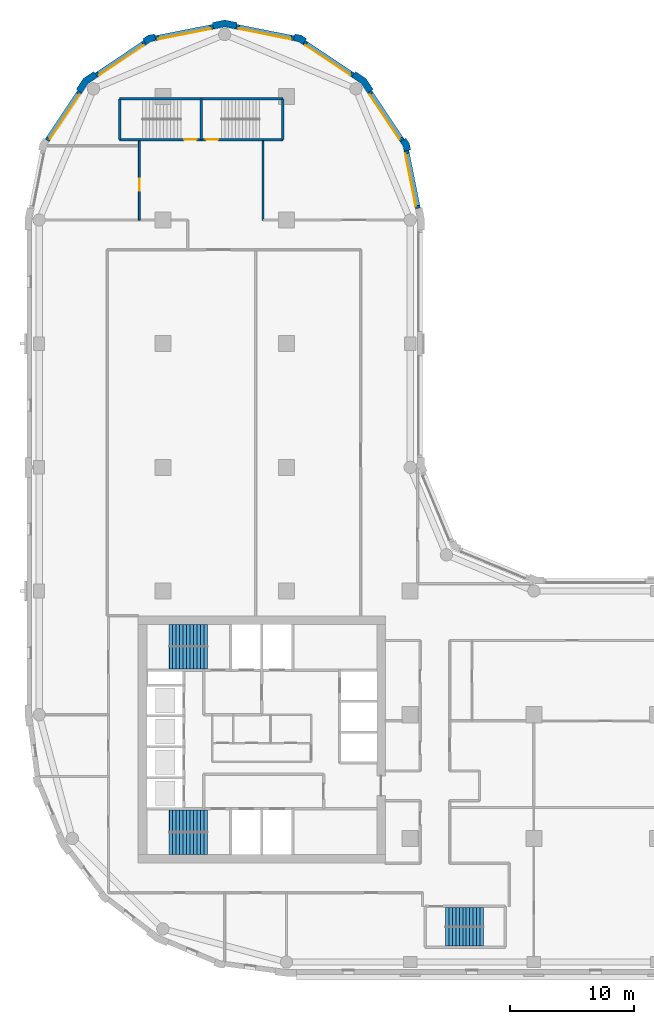
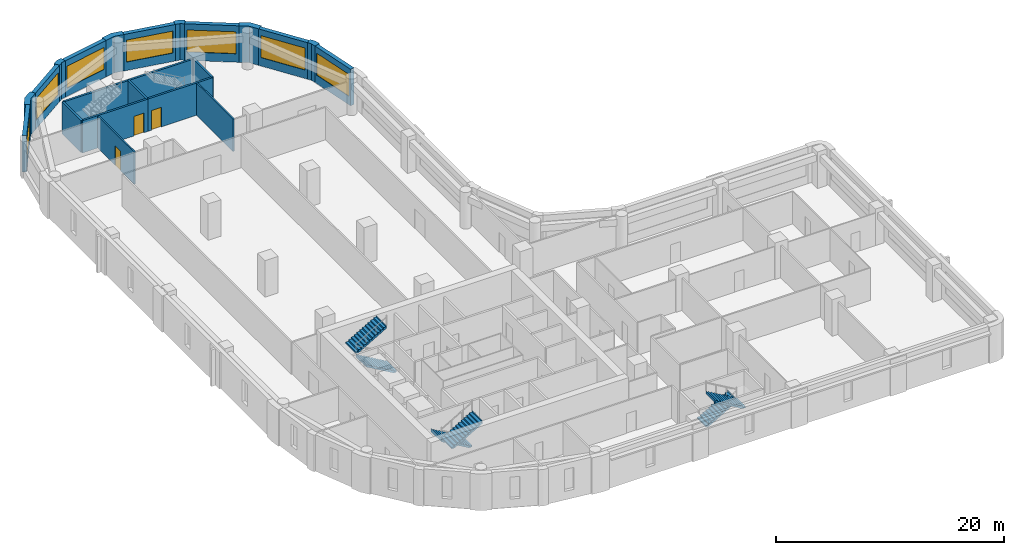
# One storey, part 6 of 9: 22 walls, 7 windows, 6 stair flights, 3 doors, 10 openings, 3 elements without a shape of their own.
"""IFC4 building model written with IfcOpenShell, lengths in metres."""

from ifc_helpers import new_model, si_unit, direction, frame, frame_2d, origin, place, context, subcontext, project, spatial, polyline, rectangle, outline, extrude, material, layer, layer_set, type_object, element, fill, aggregate, save


model = new_model("IFC4")

# Units and contexts
model_context = context("Model", 3, precision=1e-05, world=origin(), true_north=direction((0.0, 1.0)))
body_context = subcontext(model_context, "Body", "Model", "MODEL_VIEW")
ifc_project = project(units=[si_unit("LENGTHUNIT", "METRE"), si_unit("AREAUNIT", "SQUARE_METRE"), si_unit("VOLUMEUNIT", "CUBIC_METRE"), si_unit("PLANEANGLEUNIT", "RADIAN"), si_unit("MASSUNIT", "GRAM", prefix="KILO")], contexts=[model_context])

# Site, building, storey
site_placement = place(None, origin())
site = spatial("IfcSite", under=ifc_project, at=site_placement, CompositionType="ELEMENT")
building_placement = place(site_placement, origin())
building = spatial("IfcBuilding", under=site, at=building_placement, Name="Qaws Garden Tower", CompositionType="ELEMENT")
storey_placement = place(building_placement, frame((0.0, 0.0, 233.10009765625)))
storey = spatial("IfcBuildingStorey", under=building, at=storey_placement, Name="L57", CompositionType="ELEMENT", Elevation=233.10009765625)

# Wall, opening, window
ifc_material_1 = material(Name="Buff clay facing brick masonry", Category="masonry")
ifc_layer_1 = layer(ifc_material_1, 0.39990234375)
ifc_layer_set_1 = layer_set([ifc_layer_1], Name="Buff clay facing brick masonry")
wall_type_1 = type_object("IfcWallType", Name="Buff brick infill wall 400", PredefinedType="SOLIDWALL", material=ifc_layer_set_1)
wall_1_placement = place(storey_placement, frame((30.628662109375, 60.940673828125, 0.0), z_axis=(0.0, 0.0, 1.0), x_axis=(-0.195098533057, 0.98078364709, 0.0)))
wall_1 = element("IfcWall", 1, at=wall_1_placement, inside=storey, type_object=wall_type_1, Name="E-L57-infill-13", PredefinedType="SOLIDWALL", context=body_context, shape_type="SweptSolid", body=[
    extrude(rectangle(XDim=4.752685546875, YDim=0.39990234375, at=frame_2d((2.37646484375, 0.0))), origin(), (0.0, 0.0, 1.0), 3.89990234375),
])
opening_1_placement = place(wall_1_placement, frame((0.226318359375, 0.0, 0.89990234375)))
opening_1 = element("IfcOpeningElement", 2, at=opening_1_placement, cuts=wall_1, Name="Opening W06", PredefinedType="OPENING", context=body_context, shape_type="SweptSolid", body=[
    extrude(rectangle(XDim=4.300048828125, YDim=2.35009765625, at=frame_2d((2.14990234375, 1.175048828125))), frame((0.0, 0.2099609375, 0.0), z_axis=(0.0, -1.0, 0.0), x_axis=(1.0, 0.0, 0.0)), (0.0, 0.0, 1.0), 0.419921875),
])
ifc_material_2 = material(Name="Aluminium framed window, clear glazing", Category="aluminium")
window_type = type_object("IfcWindowType", Name="Ribbon window 4300 x 2350", PartitioningType="DOUBLE_PANEL_VERTICAL", PredefinedType="WINDOW", material=ifc_material_2)
window_1_placement = place(opening_1_placement, origin())
window_1 = element("IfcWindow", 3, at=window_1_placement, inside=storey, type_object=window_type, Name="E-L57-window-13-0", OverallHeight=2.35009765625, OverallWidth=4.300048828125, PartitioningType="SINGLE_PANEL", PredefinedType="WINDOW", context=body_context, shape_type="SweptSolid", body=[
    extrude(rectangle(XDim=4.300048828125, YDim=2.35009765625, at=frame_2d((2.14990234375, 1.175048828125))), frame((0.0, 0.159912109375, 0.0), z_axis=(0.0, -1.0, 0.0), x_axis=(1.0, 0.0, 0.0)), (0.0, 0.0, 1.0), 0.06005859375),
])
fill(opening_1, window_1)

wall_2_placement = place(storey_placement, frame((29.356689453125, 66.43408203125, 0.0), z_axis=(0.0, 0.0, 1.0), x_axis=(-0.555541552266, 0.831488775454, 0.0)))
wall_2 = element("IfcWall", 4, at=wall_2_placement, inside=storey, type_object=wall_type_1, Name="E-L57-infill-14", PredefinedType="SOLIDWALL", context=body_context, shape_type="SweptSolid", body=[
    extrude(rectangle(XDim=4.752685546875, YDim=0.39990234375, at=frame_2d((2.37646484375, 0.0))), origin(), (0.0, 0.0, 1.0), 3.89990234375),
])
opening_2_placement = place(wall_2_placement, frame((0.226318359375, 0.0, 0.89990234375)))
opening_2 = element("IfcOpeningElement", 5, at=opening_2_placement, cuts=wall_2, Name="Opening W06", PredefinedType="OPENING", context=body_context, shape_type="SweptSolid", body=[
    extrude(rectangle(XDim=4.300048828125, YDim=2.35009765625, at=frame_2d((2.14990234375, 1.175048828125))), frame((0.0, 0.2099609375, 0.0), z_axis=(0.0, -1.0, 0.0), x_axis=(1.0, 0.0, 0.0)), (0.0, 0.0, 1.0), 0.419921875),
])
window_2_placement = place(opening_2_placement, origin())
window_2 = element("IfcWindow", 6, at=window_2_placement, inside=storey, type_object=window_type, Name="E-L57-window-14-0", OverallHeight=2.35009765625, OverallWidth=4.300048828125, PartitioningType="SINGLE_PANEL", PredefinedType="WINDOW", context=body_context, shape_type="SweptSolid", body=[
    extrude(rectangle(XDim=4.300048828125, YDim=2.35009765625, at=frame_2d((2.14990234375, 1.175048828125))), frame((0.0, 0.159912109375, 0.0), z_axis=(0.0, -1.0, 0.0), x_axis=(1.0, 0.0, 0.0)), (0.0, 0.0, 1.0), 0.06005859375),
])
fill(opening_2, window_2)

wall_3_placement = place(storey_placement, frame((25.385986328125, 71.71630859375, 0.0), z_axis=(0.0, 0.0, 1.0), x_axis=(-0.831488775454, 0.555541552266, 0.0)))
wall_3 = element("IfcWall", 7, at=wall_3_placement, inside=storey, type_object=wall_type_1, Name="E-L57-infill-15", PredefinedType="SOLIDWALL", context=body_context, shape_type="SweptSolid", body=[
    extrude(rectangle(XDim=4.752685546875, YDim=0.39990234375, at=frame_2d((2.37646484375, 0.0))), origin(), (0.0, 0.0, 1.0), 3.89990234375),
])
opening_3_placement = place(wall_3_placement, frame((0.226318359375, 0.0, 0.89990234375)))
opening_3 = element("IfcOpeningElement", 8, at=opening_3_placement, cuts=wall_3, Name="Opening W06", PredefinedType="OPENING", context=body_context, shape_type="SweptSolid", body=[
    extrude(rectangle(XDim=4.300048828125, YDim=2.35009765625, at=frame_2d((2.14990234375, 1.175048828125))), frame((0.0, 0.2099609375, 0.0), z_axis=(0.0, -1.0, 0.0), x_axis=(1.0, 0.0, 0.0)), (0.0, 0.0, 1.0), 0.419921875),
])
window_3_placement = place(opening_3_placement, origin())
window_3 = element("IfcWindow", 9, at=window_3_placement, inside=storey, type_object=window_type, Name="E-L57-window-15-0", OverallHeight=2.35009765625, OverallWidth=4.300048828125, PartitioningType="SINGLE_PANEL", PredefinedType="WINDOW", context=body_context, shape_type="SweptSolid", body=[
    extrude(rectangle(XDim=4.300048828125, YDim=2.35009765625, at=frame_2d((2.14990234375, 1.175048828125))), frame((0.0, 0.159912109375, 0.0), z_axis=(0.0, -1.0, 0.0), x_axis=(1.0, 0.0, 0.0)), (0.0, 0.0, 1.0), 0.06005859375),
])
fill(opening_3, window_3)

wall_4_placement = place(storey_placement, frame((20.60205078125, 74.701416015625, 0.0), z_axis=(0.0, 0.0, 1.0), x_axis=(-0.98078364709, 0.195098533057, 0.0)))
wall_4 = element("IfcWall", 10, at=wall_4_placement, inside=storey, type_object=wall_type_1, Name="E-L57-infill-16", PredefinedType="SOLIDWALL", context=body_context, shape_type="SweptSolid", body=[
    extrude(rectangle(XDim=4.752685546875, YDim=0.39990234375, at=frame_2d((2.37646484375, 0.0))), origin(), (0.0, 0.0, 1.0), 3.89990234375),
])
opening_4_placement = place(wall_4_placement, frame((0.226318359375, 0.0, 0.89990234375)))
opening_4 = element("IfcOpeningElement", 11, at=opening_4_placement, cuts=wall_4, Name="Opening W06", PredefinedType="OPENING", context=body_context, shape_type="SweptSolid", body=[
    extrude(rectangle(XDim=4.300048828125, YDim=2.35009765625, at=frame_2d((2.14990234375, 1.175048828125))), frame((0.0, 0.2099609375, 0.0), z_axis=(0.0, -1.0, 0.0), x_axis=(1.0, 0.0, 0.0)), (0.0, 0.0, 1.0), 0.419921875),
])
window_4_placement = place(opening_4_placement, origin())
window_4 = element("IfcWindow", 12, at=window_4_placement, inside=storey, type_object=window_type, Name="E-L57-window-16-0", OverallHeight=2.35009765625, OverallWidth=4.300048828125, PartitioningType="SINGLE_PANEL", PredefinedType="WINDOW", context=body_context, shape_type="SweptSolid", body=[
    extrude(rectangle(XDim=4.300048828125, YDim=2.35009765625, at=frame_2d((2.14990234375, 1.175048828125))), frame((0.0, 0.159912109375, 0.0), z_axis=(0.0, -1.0, 0.0), x_axis=(1.0, 0.0, 0.0)), (0.0, 0.0, 1.0), 0.06005859375),
])
fill(opening_4, window_4)

wall_5_placement = place(storey_placement, frame((14.059326171875, 75.628662109375, 0.0), z_axis=(0.0, 0.0, 1.0), x_axis=(-0.98078364709, -0.195098533057, 0.0)))
wall_5 = element("IfcWall", 13, at=wall_5_placement, inside=storey, type_object=wall_type_1, Name="E-L57-infill-17", PredefinedType="SOLIDWALL", context=body_context, shape_type="SweptSolid", body=[
    extrude(rectangle(XDim=4.752685546875, YDim=0.39990234375, at=frame_2d((2.37646484375, 0.0))), origin(), (0.0, 0.0, 1.0), 3.89990234375),
])
opening_5_placement = place(wall_5_placement, frame((0.226318359375, 0.0, 0.89990234375)))
opening_5 = element("IfcOpeningElement", 14, at=opening_5_placement, cuts=wall_5, Name="Opening W06", PredefinedType="OPENING", context=body_context, shape_type="SweptSolid", body=[
    extrude(rectangle(XDim=4.300048828125, YDim=2.35009765625, at=frame_2d((2.14990234375, 1.175048828125))), frame((0.0, 0.2099609375, 0.0), z_axis=(0.0, -1.0, 0.0), x_axis=(1.0, 0.0, 0.0)), (0.0, 0.0, 1.0), 0.419921875),
])
window_5_placement = place(opening_5_placement, origin())
window_5 = element("IfcWindow", 15, at=window_5_placement, inside=storey, type_object=window_type, Name="E-L57-window-17-0", OverallHeight=2.35009765625, OverallWidth=4.300048828125, PartitioningType="SINGLE_PANEL", PredefinedType="WINDOW", context=body_context, shape_type="SweptSolid", body=[
    extrude(rectangle(XDim=4.300048828125, YDim=2.35009765625, at=frame_2d((2.14990234375, 1.175048828125))), frame((0.0, 0.159912109375, 0.0), z_axis=(0.0, -1.0, 0.0), x_axis=(1.0, 0.0, 0.0)), (0.0, 0.0, 1.0), 0.06005859375),
])
fill(opening_5, window_5)

wall_6_placement = place(storey_placement, frame((8.56591796875, 74.356689453125, 0.0), z_axis=(0.0, 0.0, 1.0), x_axis=(-0.831488775454, -0.555541552266, 0.0)))
wall_6 = element("IfcWall", 16, at=wall_6_placement, inside=storey, type_object=wall_type_1, Name="E-L57-infill-18", PredefinedType="SOLIDWALL", context=body_context, shape_type="SweptSolid", body=[
    extrude(rectangle(XDim=4.752685546875, YDim=0.39990234375, at=frame_2d((2.37646484375, 0.0))), origin(), (0.0, 0.0, 1.0), 3.89990234375),
])
opening_6_placement = place(wall_6_placement, frame((0.226318359375, 0.0, 0.89990234375)))
opening_6 = element("IfcOpeningElement", 17, at=opening_6_placement, cuts=wall_6, Name="Opening W06", PredefinedType="OPENING", context=body_context, shape_type="SweptSolid", body=[
    extrude(rectangle(XDim=4.300048828125, YDim=2.35009765625, at=frame_2d((2.14990234375, 1.175048828125))), frame((0.0, 0.2099609375, 0.0), z_axis=(0.0, -1.0, 0.0), x_axis=(1.0, 0.0, 0.0)), (0.0, 0.0, 1.0), 0.419921875),
])
window_6_placement = place(opening_6_placement, origin())
window_6 = element("IfcWindow", 18, at=window_6_placement, inside=storey, type_object=window_type, Name="E-L57-window-18-0", OverallHeight=2.35009765625, OverallWidth=4.300048828125, PartitioningType="SINGLE_PANEL", PredefinedType="WINDOW", context=body_context, shape_type="SweptSolid", body=[
    extrude(rectangle(XDim=4.300048828125, YDim=2.35009765625, at=frame_2d((2.14990234375, 1.175048828125))), frame((0.0, 0.159912109375, 0.0), z_axis=(0.0, -1.0, 0.0), x_axis=(1.0, 0.0, 0.0)), (0.0, 0.0, 1.0), 0.06005859375),
])
fill(opening_6, window_6)

wall_7_placement = place(storey_placement, frame((3.28369140625, 70.385986328125, 0.0), z_axis=(0.0, 0.0, 1.0), x_axis=(-0.555541552266, -0.831488775454, 0.0)))
wall_7 = element("IfcWall", 19, at=wall_7_placement, inside=storey, type_object=wall_type_1, Name="E-L57-infill-19", PredefinedType="SOLIDWALL", context=body_context, shape_type="SweptSolid", body=[
    extrude(rectangle(XDim=4.752685546875, YDim=0.39990234375, at=frame_2d((2.37646484375, 0.0))), origin(), (0.0, 0.0, 1.0), 3.89990234375),
])
opening_7_placement = place(wall_7_placement, frame((0.226318359375, 0.0, 0.89990234375)))
opening_7 = element("IfcOpeningElement", 20, at=opening_7_placement, cuts=wall_7, Name="Opening W06", PredefinedType="OPENING", context=body_context, shape_type="SweptSolid", body=[
    extrude(rectangle(XDim=4.300048828125, YDim=2.35009765625, at=frame_2d((2.14990234375, 1.175048828125))), frame((0.0, 0.2099609375, 0.0), z_axis=(0.0, -1.0, 0.0), x_axis=(1.0, 0.0, 0.0)), (0.0, 0.0, 1.0), 0.419921875),
])
window_7_placement = place(opening_7_placement, origin())
window_7 = element("IfcWindow", 21, at=window_7_placement, inside=storey, type_object=window_type, Name="E-L57-window-19-0", OverallHeight=2.35009765625, OverallWidth=4.300048828125, PartitioningType="SINGLE_PANEL", PredefinedType="WINDOW", context=body_context, shape_type="SweptSolid", body=[
    extrude(rectangle(XDim=4.300048828125, YDim=2.35009765625, at=frame_2d((2.14990234375, 1.175048828125))), frame((0.0, 0.159912109375, 0.0), z_axis=(0.0, -1.0, 0.0), x_axis=(1.0, 0.0, 0.0)), (0.0, 0.0, 1.0), 0.06005859375),
])
fill(opening_7, window_7)

# Walls
ifc_material_3 = material(Name="Buff clay facing brick masonry", Category="masonry")
ifc_layer_2 = layer(ifc_material_3, 0.550048828125)
ifc_layer_set_2 = layer_set([ifc_layer_2], Name="Buff clay facing brick masonry")
wall_type_2 = type_object("IfcWallType", Name="Buff brick kink pier 550 x 600", PredefinedType="SOLIDWALL", material=ifc_layer_set_2)
placement = place(storey_placement, origin())
element("IfcWall", 22, at=placement, inside=storey, type_object=wall_type_2, Name="E-L57-pier-14", PredefinedType="SOLIDWALL", context=body_context, shape_type="SweptSolid", body=[
    extrude(outline(polyline([(29.8974609375, 65.64111328125), (30.044677734375, 65.67041015625), (29.94140625, 66.18896484375), (29.647705078125, 66.628662109375), (29.52294921875, 66.545166015625), (29.1904296875, 66.322998046875), (29.42333984375, 65.974365234375), (29.505126953125, 65.56298828125), (29.8974609375, 65.64111328125)])), origin(), (0.0, 0.0, 1.0), 3.89990234375),
])
element("IfcWall", 23, at=placement, inside=storey, type_object=wall_type_2, Name="E-L57-pier-16", PredefinedType="SOLIDWALL", context=body_context, shape_type="SweptSolid", body=[
    extrude(outline(polyline([(21.545166015625, 74.52294921875), (21.628662109375, 74.647705078125), (21.18896484375, 74.94140625), (20.67041015625, 75.044677734375), (20.64111328125, 74.8974609375), (20.56298828125, 74.505126953125), (20.974365234375, 74.42333984375), (21.322998046875, 74.1904296875), (21.545166015625, 74.52294921875)])), origin(), (0.0, 0.0, 1.0), 3.89990234375),
])
element("IfcWall", 24, at=placement, inside=storey, type_object=wall_type_2, Name="E-L57-pier-18", PredefinedType="SOLIDWALL", context=body_context, shape_type="SweptSolid", body=[
    extrude(outline(polyline([(9.35888671875, 74.8974609375), (9.32958984375, 75.044677734375), (8.81103515625, 74.94140625), (8.371337890625, 74.647705078125), (8.454833984375, 74.52294921875), (8.677001953125, 74.1904296875), (9.025634765625, 74.42333984375), (9.43701171875, 74.505126953125), (9.35888671875, 74.8974609375)])), origin(), (0.0, 0.0, 1.0), 3.89990234375),
])
ifc_material_4 = material(Name="Buff clay facing brick masonry", Category="masonry")
ifc_layer_3 = layer(ifc_material_4, 0.550048828125)
ifc_layer_set_3 = layer_set([ifc_layer_3], Name="Buff clay facing brick masonry")
wall_type_3 = type_object("IfcWallType", Name="Buff brick pier 550 x 1600", PredefinedType="SOLIDWALL", material=ifc_layer_set_3)
element("IfcWall", 25, at=placement, inside=storey, type_object=wall_type_3, Name="E-L57-pier-15", PredefinedType="SOLIDWALL", context=body_context, shape_type="SweptSolid", body=[
    extrude(outline(polyline([(26.882568359375, 70.4970703125), (27.00732421875, 70.580322265625), (26.435791015625, 71.435791015625), (25.580322265625, 72.00732421875), (25.4970703125, 71.882568359375), (25.274658203125, 71.550048828125), (26.0390625, 71.0390625), (26.550048828125, 70.274658203125), (26.882568359375, 70.4970703125)])), origin(), (0.0, 0.0, 1.0), 3.89990234375),
])
element("IfcWall", 26, at=placement, inside=storey, type_object=wall_type_3, Name="E-L57-pier-17", PredefinedType="SOLIDWALL", context=body_context, shape_type="SweptSolid", body=[
    extrude(outline(polyline([(15.979736328125, 75.82470703125), (16.009033203125, 75.971923828125), (15.0, 76.172607421875), (13.990966796875, 75.971923828125), (14.020263671875, 75.82470703125), (14.098388671875, 75.432373046875), (15.0, 75.61181640625), (15.901611328125, 75.432373046875), (15.979736328125, 75.82470703125)])), origin(), (0.0, 0.0, 1.0), 3.89990234375),
])
element("IfcWall", 27, at=placement, inside=storey, type_object=wall_type_3, Name="E-L57-pier-19", PredefinedType="SOLIDWALL", context=body_context, shape_type="SweptSolid", body=[
    extrude(outline(polyline([(4.5029296875, 71.882568359375), (4.419677734375, 72.00732421875), (3.564208984375, 71.435791015625), (2.99267578125, 70.580322265625), (3.117431640625, 70.4970703125), (3.449951171875, 70.274658203125), (3.9609375, 71.0390625), (4.725341796875, 71.550048828125), (4.5029296875, 71.882568359375)])), origin(), (0.0, 0.0, 1.0), 3.89990234375),
])

# Wall, opening, door
ifc_material_5 = material(Name="Concrete C70", Category="concrete")
ifc_layer_4 = layer(ifc_material_5, 0.199951171875)
ifc_layer_set_4 = layer_set([ifc_layer_4], Name="Concrete C70")
wall_type_4 = type_object("IfcWallType", Name="Core shaft wall 200 C70", PredefinedType="SHEAR", material=ifc_layer_set_4)
wall_14_placement = place(storey_placement, frame((6.5, 66.5, 0.0), z_axis=(0.0, 0.0, 1.0), x_axis=(1.0, 0.0, 0.0)))
wall_14 = element("IfcWall", 28, at=wall_14_placement, inside=storey, type_object=wall_type_4, Name="Shaft wall", PredefinedType="SHEAR", context=body_context, shape_type="SweptSolid", body=[
    extrude(rectangle(XDim=6.60009765625, YDim=0.199951171875, at=frame_2d((3.300048828125, 0.0))), origin(), (0.0, 0.0, 1.0), 3.449951171875),
])
opening_8_placement = place(wall_14_placement, frame((5.22509765625, 0.0, 0.0)))
opening_8 = element("IfcOpeningElement", 29, at=opening_8_placement, cuts=wall_14, Name="Opening SD13", PredefinedType="OPENING", context=body_context, shape_type="SweptSolid", body=[
    extrude(rectangle(XDim=1.0, YDim=2.10009765625, at=frame_2d((0.5, 1.050048828125))), frame((0.0, 0.10986328125, 0.0), z_axis=(0.0, -1.0, 0.0), x_axis=(1.0, 0.0, 0.0)), (0.0, 0.0, 1.0), 0.219970703125),
])
ifc_material_6 = material(Name="Steel S235", Category="steel")
door_type_1 = type_object("IfcDoorType", Name="Stair door 1000x2100", OperationType="SINGLE_SWING_RIGHT", PredefinedType="DOOR", material=ifc_material_6)
door_1_placement = place(opening_8_placement, origin())
door_1 = element("IfcDoor", 30, at=door_1_placement, inside=storey, type_object=door_type_1, Name="Stair 6 door", OperationType="SINGLE_SWING_RIGHT", OverallHeight=2.10009765625, OverallWidth=1.0, PredefinedType="DOOR", context=body_context, shape_type="SweptSolid", body=[
    extrude(rectangle(XDim=1.0, YDim=2.10009765625, at=frame_2d((0.5, 1.050048828125))), frame((0.0, 0.02490234375, 0.0), z_axis=(0.0, -1.0, 0.0), x_axis=(1.0, 0.0, 0.0)), (0.0, 0.0, 1.0), 0.050048828125),
])
fill(opening_8, door_1)

wall_15_placement = place(storey_placement, frame((13.10009765625, 66.5, 0.0), z_axis=(0.0, 0.0, 1.0), x_axis=(1.0, 0.0, 0.0)))
wall_15 = element("IfcWall", 31, at=wall_15_placement, inside=storey, type_object=wall_type_4, Name="Shaft wall", PredefinedType="SHEAR", context=body_context, shape_type="SweptSolid", body=[
    extrude(rectangle(XDim=6.599853515625, YDim=0.199951171875, at=frame_2d((3.2998046875, 0.0))), origin(), (0.0, 0.0, 1.0), 3.449951171875),
])
opening_9_placement = place(wall_15_placement, frame((0.375, 0.0, 0.0)))
opening_9 = element("IfcOpeningElement", 32, at=opening_9_placement, cuts=wall_15, Name="Opening SD14", PredefinedType="OPENING", context=body_context, shape_type="SweptSolid", body=[
    extrude(rectangle(XDim=1.0, YDim=2.10009765625, at=frame_2d((0.5, 1.050048828125))), frame((0.0, 0.10986328125, 0.0), z_axis=(0.0, -1.0, 0.0), x_axis=(1.0, 0.0, 0.0)), (0.0, 0.0, 1.0), 0.219970703125),
])
door_2_placement = place(opening_9_placement, origin())
door_2 = element("IfcDoor", 33, at=door_2_placement, inside=storey, type_object=door_type_1, Name="Stair 7 door", OperationType="SINGLE_SWING_LEFT", OverallHeight=2.10009765625, OverallWidth=1.0, PredefinedType="DOOR", context=body_context, shape_type="SweptSolid", body=[
    extrude(rectangle(XDim=1.0, YDim=2.10009765625, at=frame_2d((0.5, 1.050048828125))), frame((0.0, 0.02490234375, 0.0), z_axis=(0.0, -1.0, 0.0), x_axis=(1.0, 0.0, 0.0)), (0.0, 0.0, 1.0), 0.050048828125),
])
fill(opening_9, door_2)

# Walls
wall_16_placement = place(storey_placement, frame((6.5, 69.800048828125, 0.0), z_axis=(0.0, 0.0, 1.0), x_axis=(1.0, 0.0, 0.0)))
element("IfcWall", 34, at=wall_16_placement, inside=storey, type_object=wall_type_4, Name="Shaft wall", PredefinedType="SHEAR", context=body_context, shape_type="SweptSolid", body=[
    extrude(rectangle(XDim=6.60009765625, YDim=0.199951171875, at=frame_2d((3.300048828125, 0.0))), origin(), (0.0, 0.0, 1.0), 3.449951171875),
])
wall_17_placement = place(storey_placement, frame((13.10009765625, 69.800048828125, 0.0), z_axis=(0.0, 0.0, 1.0), x_axis=(1.0, 0.0, 0.0)))
element("IfcWall", 35, at=wall_17_placement, inside=storey, type_object=wall_type_4, Name="Shaft wall", PredefinedType="SHEAR", context=body_context, shape_type="SweptSolid", body=[
    extrude(rectangle(XDim=6.599853515625, YDim=0.199951171875, at=frame_2d((3.2998046875, 0.0))), origin(), (0.0, 0.0, 1.0), 3.449951171875),
])
for number, where, z_axis, x_axis, name in (
    (36, (6.5, 66.5, 0.0), (0.0, 0.0, 1.0), (0.0, 1.0, 0.0), "Shaft wall"),
    (37, (13.10009765625, 66.5, 0.0), (0.0, 0.0, 1.0), (0.0, 1.0, 0.0), "Shaft wall"),
    (38, (19.699951171875, 66.5, 0.0), (0.0, 0.0, 1.0), (0.0, 1.0, 0.0), "Shaft wall"),
):
    element("IfcWall", number, at=place(storey_placement, frame(where, z_axis=z_axis, x_axis=x_axis)), inside=storey, type_object=wall_type_4, Name=name, PredefinedType="SHEAR", context=body_context, shape_type="SweptSolid", body=[
        extrude(rectangle(XDim=3.300048828125, YDim=0.199951171875, at=frame_2d((1.64990234375, 0.0))), origin(), (0.0, 0.0, 1.0), 3.449951171875),
    ])

# Wall, opening, door
ifc_material_7 = material(Name="Gypsum board partition")
ifc_layer_5 = layer(ifc_material_7, 0.14990234375)
ifc_layer_set_5 = layer_set([ifc_layer_5], Name="Gypsum board partition")
wall_type_5 = type_object("IfcWallType", Name="PARTITION 150 EI 60", PredefinedType="PARTITIONING", material=ifc_layer_set_5)
wall_18_placement = place(storey_placement, frame((8.10009765625, 60.0, 0.0), z_axis=(0.0, 0.0, 1.0), x_axis=(0.0, 1.0, 0.0)))
wall_18 = element("IfcWall", 39, at=wall_18_placement, inside=storey, type_object=wall_type_5, Name="O-L57-wall-011", PredefinedType="PARTITIONING", context=body_context, shape_type="SweptSolid", body=[
    extrude(rectangle(XDim=6.39990234375, YDim=0.14990234375, at=frame_2d((3.199951171875, 0.0))), origin(), (0.0, 0.0, 1.0), 3.449951171875),
])
opening_10_placement = place(wall_18_placement, frame((2.35009765625, 0.0, 0.0)))
opening_10 = element("IfcOpeningElement", 40, at=opening_10_placement, cuts=wall_18, Name="Opening B908", PredefinedType="OPENING", context=body_context, shape_type="SweptSolid", body=[
    extrude(rectangle(XDim=1.0, YDim=2.10009765625, at=frame_2d((0.5, 1.050048828125))), frame((0.0, 0.0849609375, 0.0), z_axis=(0.0, -1.0, 0.0), x_axis=(1.0, 0.0, 0.0)), (0.0, 0.0, 1.0), 0.169921875),
])
ifc_material_8 = material(Name="Timber door leaf", Category="wood")
door_type_2 = type_object("IfcDoorType", Name="TENANCY ENTRANCE DOOR 1000 X 2100", OperationType="SINGLE_SWING_LEFT", PredefinedType="DOOR", material=ifc_material_8)
door_3_placement = place(opening_10_placement, origin())
door_3 = element("IfcDoor", 41, at=door_3_placement, inside=storey, type_object=door_type_2, Name="O-L57-door-008", OperationType="SINGLE_SWING_LEFT", OverallHeight=2.10009765625, OverallWidth=1.0, PredefinedType="DOOR", context=body_context, shape_type="SweptSolid", body=[
    extrude(rectangle(XDim=1.0, YDim=2.10009765625, at=frame_2d((0.5, 1.050048828125))), frame((0.0, 0.02490234375, 0.0), z_axis=(0.0, -1.0, 0.0), x_axis=(1.0, 0.0, 0.0)), (0.0, 0.0, 1.0), 0.050048828125),
])
fill(opening_10, door_3)

# Wall
wall_19_placement = place(storey_placement, frame((18.10009765625, 60.0, 0.0), z_axis=(0.0, 0.0, 1.0), x_axis=(0.0, 1.0, 0.0)))
element("IfcWall", 42, at=wall_19_placement, inside=storey, type_object=wall_type_5, Name="O-L57-wall-015", PredefinedType="PARTITIONING", context=body_context, shape_type="SweptSolid", body=[
    extrude(rectangle(XDim=6.39990234375, YDim=0.14990234375, at=frame_2d((3.199951171875, 0.0))), origin(), (0.0, 0.0, 1.0), 3.449951171875),
])

# Stair, stair flights
ifc_material_9 = material(Name="Concrete C40", Category="concrete")
stair_type_1 = type_object("IfcStairType", Name="Exit stair 1350", PredefinedType="HALF_TURN_STAIR", material=ifc_material_9)
stair_1 = element("IfcStair", 43, at=placement, inside=storey, type_object=stair_type_1, Name="Stair 5", PredefinedType="HALF_TURN_STAIR")
ifc_material_10 = material(Name="Concrete C40", Category="concrete")
stair_flight_type_1 = type_object("IfcStairFlightType", Name="Stair flight 1350", PredefinedType="STRAIGHT", material=ifc_material_10)
stair_flight_1_placement = place(storey_placement, frame((32.85009765625, 3.625, 0.0), z_axis=(0.0, 0.0, 1.0), x_axis=(1.0, 0.0, 0.0)))
stair_flight_1 = element("IfcStairFlight", 44, at=stair_flight_1_placement, type_object=stair_flight_type_1, Name="ST5 flight 1", NumberOfRisers=12, NumberOfTreads=11, PredefinedType="STRAIGHT", RiserHeight=0.1625, TreadLength=0.28, context=body_context, shape_type="SweptSolid", body=[
    extrude(outline(polyline([(-0.0029296875, 0.0), (-0.0029296875, 0.16259765625), (0.0, 0.16259765625), (0.280029296875, 0.16259765625), (0.280029296875, 0.324951171875), (0.56005859375, 0.324951171875), (0.56005859375, 0.487548828125), (0.840087890625, 0.487548828125), (0.840087890625, 0.64990234375), (1.1201171875, 0.64990234375), (1.1201171875, 0.8125), (1.39990234375, 0.8125), (1.39990234375, 0.97509765625), (1.679931640625, 0.97509765625), (1.679931640625, 1.137451171875), (1.9599609375, 1.137451171875), (1.9599609375, 1.300048828125), (2.239990234375, 1.300048828125), (2.239990234375, 1.46240234375), (2.52001953125, 1.46240234375), (2.52001953125, 1.625), (2.800048828125, 1.625), (2.800048828125, 1.78759765625), (3.080078125, 1.78759765625), (3.080078125, 1.949951171875), (3.0830078125, 1.949951171875), (3.0830078125, 1.6142578125), (3.080078125, 1.6142578125), (0.298583984375, 0.0), (-0.0029296875, 0.0)])), frame((0.0, 0.77490234375, 0.0), z_axis=(0.0, -1.0, 0.0), x_axis=(1.0, 0.0, 0.0)), (0.0, 0.0, 1.0), 1.550048828125),
])
stair_flight_2_placement = place(storey_placement, frame((35.929931640625, 2.074951171875, 1.949951171875), z_axis=(0.0, 0.0, 1.0), x_axis=(-1.0, 0.0, 0.0)))
stair_flight_2 = element("IfcStairFlight", 45, at=stair_flight_2_placement, type_object=stair_flight_type_1, Name="ST5 flight 2", NumberOfRisers=12, NumberOfTreads=11, PredefinedType="STRAIGHT", RiserHeight=0.1625, TreadLength=0.28, context=body_context, shape_type="SweptSolid", body=[
    extrude(outline(polyline([(-0.0029296875, 0.0), (-0.0029296875, 0.16259765625), (0.0, 0.16259765625), (0.280029296875, 0.16259765625), (0.280029296875, 0.324951171875), (0.56005859375, 0.324951171875), (0.56005859375, 0.487548828125), (0.840087890625, 0.487548828125), (0.840087890625, 0.64990234375), (1.1201171875, 0.64990234375), (1.1201171875, 0.8125), (1.39990234375, 0.8125), (1.39990234375, 0.97509765625), (1.679931640625, 0.97509765625), (1.679931640625, 1.137451171875), (1.9599609375, 1.137451171875), (1.9599609375, 1.300048828125), (2.239990234375, 1.300048828125), (2.239990234375, 1.46240234375), (2.52001953125, 1.46240234375), (2.52001953125, 1.625), (2.800048828125, 1.625), (2.800048828125, 1.78759765625), (3.080078125, 1.78759765625), (3.080078125, 1.949951171875), (3.0830078125, 1.949951171875), (3.0830078125, 1.6142578125), (3.080078125, 1.6142578125), (0.298583984375, 0.0), (-0.0029296875, 0.0)])), frame((0.0, 0.77490234375, 0.0), z_axis=(0.0, -1.0, 0.0), x_axis=(1.0, 0.0, 0.0)), (0.0, 0.0, 1.0), 1.550048828125),
])
aggregate(stair_1, [stair_flight_1, stair_flight_2])

ifc_material_11 = material(Name="Concrete C40", Category="concrete")
stair_type_2 = type_object("IfcStairType", Name="Exit stair 1500", PredefinedType="HALF_TURN_STAIR", material=ifc_material_11)
stair_2 = element("IfcStair", 46, at=placement, inside=storey, type_object=stair_type_2, Name="Stair 1", PredefinedType="HALF_TURN_STAIR")
ifc_material_12 = material(Name="Concrete C40", Category="concrete")
stair_flight_type_2 = type_object("IfcStairFlightType", Name="Stair flight 1500", PredefinedType="STRAIGHT", material=ifc_material_12)
stair_flight_3_placement = place(storey_placement, frame((13.60009765625, 11.39990234375, 0.0), z_axis=(0.0, 0.0, 1.0), x_axis=(-1.0, 0.0, 0.0)))
stair_flight_3 = element("IfcStairFlight", 47, at=stair_flight_3_placement, type_object=stair_flight_type_2, Name="ST1 flight 1", NumberOfRisers=12, NumberOfTreads=11, PredefinedType="STRAIGHT", RiserHeight=0.1625, TreadLength=0.28, context=body_context, shape_type="SweptSolid", body=[
    extrude(outline(polyline([(-0.0029296875, 0.0), (-0.0029296875, 0.16259765625), (0.0, 0.16259765625), (0.280029296875, 0.16259765625), (0.280029296875, 0.324951171875), (0.56005859375, 0.324951171875), (0.56005859375, 0.487548828125), (0.840087890625, 0.487548828125), (0.840087890625, 0.64990234375), (1.1201171875, 0.64990234375), (1.1201171875, 0.8125), (1.39990234375, 0.8125), (1.39990234375, 0.97509765625), (1.679931640625, 0.97509765625), (1.679931640625, 1.137451171875), (1.9599609375, 1.137451171875), (1.9599609375, 1.300048828125), (2.239990234375, 1.300048828125), (2.239990234375, 1.46240234375), (2.52001953125, 1.46240234375), (2.52001953125, 1.625), (2.800048828125, 1.625), (2.800048828125, 1.78759765625), (3.080078125, 1.78759765625), (3.080078125, 1.949951171875), (3.0830078125, 1.949951171875), (3.0830078125, 1.6142578125), (3.080078125, 1.6142578125), (0.298583984375, 0.0), (-0.0029296875, 0.0)])), frame((0.0, 0.89990234375, 0.0), z_axis=(0.0, -1.0, 0.0), x_axis=(1.0, 0.0, 0.0)), (0.0, 0.0, 1.0), 1.800048828125),
])
stair_flight_4_placement = place(storey_placement, frame((10.52001953125, 9.60009765625, 1.949951171875), z_axis=(0.0, 0.0, 1.0), x_axis=(1.0, 0.0, 0.0)))
stair_flight_4 = element("IfcStairFlight", 48, at=stair_flight_4_placement, type_object=stair_flight_type_2, Name="ST1 flight 2", NumberOfRisers=12, NumberOfTreads=11, PredefinedType="STRAIGHT", RiserHeight=0.1625, TreadLength=0.28, context=body_context, shape_type="SweptSolid", body=[
    extrude(outline(polyline([(-0.0029296875, 0.0), (-0.0029296875, 0.16259765625), (0.0, 0.16259765625), (0.280029296875, 0.16259765625), (0.280029296875, 0.324951171875), (0.56005859375, 0.324951171875), (0.56005859375, 0.487548828125), (0.840087890625, 0.487548828125), (0.840087890625, 0.64990234375), (1.1201171875, 0.64990234375), (1.1201171875, 0.8125), (1.39990234375, 0.8125), (1.39990234375, 0.97509765625), (1.679931640625, 0.97509765625), (1.679931640625, 1.137451171875), (1.9599609375, 1.137451171875), (1.9599609375, 1.300048828125), (2.239990234375, 1.300048828125), (2.239990234375, 1.46240234375), (2.52001953125, 1.46240234375), (2.52001953125, 1.625), (2.800048828125, 1.625), (2.800048828125, 1.78759765625), (3.080078125, 1.78759765625), (3.080078125, 1.949951171875), (3.0830078125, 1.949951171875), (3.0830078125, 1.6142578125), (3.080078125, 1.6142578125), (0.298583984375, 0.0), (-0.0029296875, 0.0)])), frame((0.0, 0.89990234375, 0.0), z_axis=(0.0, -1.0, 0.0), x_axis=(1.0, 0.0, 0.0)), (0.0, 0.0, 1.0), 1.800048828125),
])
aggregate(stair_2, [stair_flight_3, stair_flight_4])

stair_3 = element("IfcStair", 49, at=placement, inside=storey, type_object=stair_type_2, Name="Stair 4", PredefinedType="HALF_TURN_STAIR")
stair_flight_5_placement = place(storey_placement, frame((13.60009765625, 24.60009765625, 0.0), z_axis=(0.0, 0.0, 1.0), x_axis=(-1.0, 0.0, 0.0)))
stair_flight_5 = element("IfcStairFlight", 50, at=stair_flight_5_placement, type_object=stair_flight_type_2, Name="ST4 flight 1", NumberOfRisers=12, NumberOfTreads=11, PredefinedType="STRAIGHT", RiserHeight=0.1625, TreadLength=0.28, context=body_context, shape_type="SweptSolid", body=[
    extrude(outline(polyline([(-0.0029296875, 0.0), (-0.0029296875, 0.16259765625), (0.0, 0.16259765625), (0.280029296875, 0.16259765625), (0.280029296875, 0.324951171875), (0.56005859375, 0.324951171875), (0.56005859375, 0.487548828125), (0.840087890625, 0.487548828125), (0.840087890625, 0.64990234375), (1.1201171875, 0.64990234375), (1.1201171875, 0.8125), (1.39990234375, 0.8125), (1.39990234375, 0.97509765625), (1.679931640625, 0.97509765625), (1.679931640625, 1.137451171875), (1.9599609375, 1.137451171875), (1.9599609375, 1.300048828125), (2.239990234375, 1.300048828125), (2.239990234375, 1.46240234375), (2.52001953125, 1.46240234375), (2.52001953125, 1.625), (2.800048828125, 1.625), (2.800048828125, 1.78759765625), (3.080078125, 1.78759765625), (3.080078125, 1.949951171875), (3.0830078125, 1.949951171875), (3.0830078125, 1.6142578125), (3.080078125, 1.6142578125), (0.298583984375, 0.0), (-0.0029296875, 0.0)])), frame((0.0, 0.89501953125, 0.0), z_axis=(0.0, -1.0, 0.0), x_axis=(1.0, 0.0, 0.0)), (0.0, 0.0, 1.0), 1.7900390625),
])
stair_flight_6_placement = place(storey_placement, frame((10.52001953125, 26.39990234375, 1.949951171875), z_axis=(0.0, 0.0, 1.0), x_axis=(1.0, 0.0, 0.0)))
stair_flight_6 = element("IfcStairFlight", 51, at=stair_flight_6_placement, type_object=stair_flight_type_2, Name="ST4 flight 2", NumberOfRisers=12, NumberOfTreads=11, PredefinedType="STRAIGHT", RiserHeight=0.1625, TreadLength=0.28, context=body_context, shape_type="SweptSolid", body=[
    extrude(outline(polyline([(-0.0029296875, 0.0), (-0.0029296875, 0.16259765625), (0.0, 0.16259765625), (0.280029296875, 0.16259765625), (0.280029296875, 0.324951171875), (0.56005859375, 0.324951171875), (0.56005859375, 0.487548828125), (0.840087890625, 0.487548828125), (0.840087890625, 0.64990234375), (1.1201171875, 0.64990234375), (1.1201171875, 0.8125), (1.39990234375, 0.8125), (1.39990234375, 0.97509765625), (1.679931640625, 0.97509765625), (1.679931640625, 1.137451171875), (1.9599609375, 1.137451171875), (1.9599609375, 1.300048828125), (2.239990234375, 1.300048828125), (2.239990234375, 1.46240234375), (2.52001953125, 1.46240234375), (2.52001953125, 1.625), (2.800048828125, 1.625), (2.800048828125, 1.78759765625), (3.080078125, 1.78759765625), (3.080078125, 1.949951171875), (3.0830078125, 1.949951171875), (3.0830078125, 1.6142578125), (3.080078125, 1.6142578125), (0.298583984375, 0.0), (-0.0029296875, 0.0)])), frame((0.0, 0.89501953125, 0.0), z_axis=(0.0, -1.0, 0.0), x_axis=(1.0, 0.0, 0.0)), (0.0, 0.0, 1.0), 1.7900390625),
])
aggregate(stair_3, [stair_flight_5, stair_flight_6])

save(model, "model.ifc")
